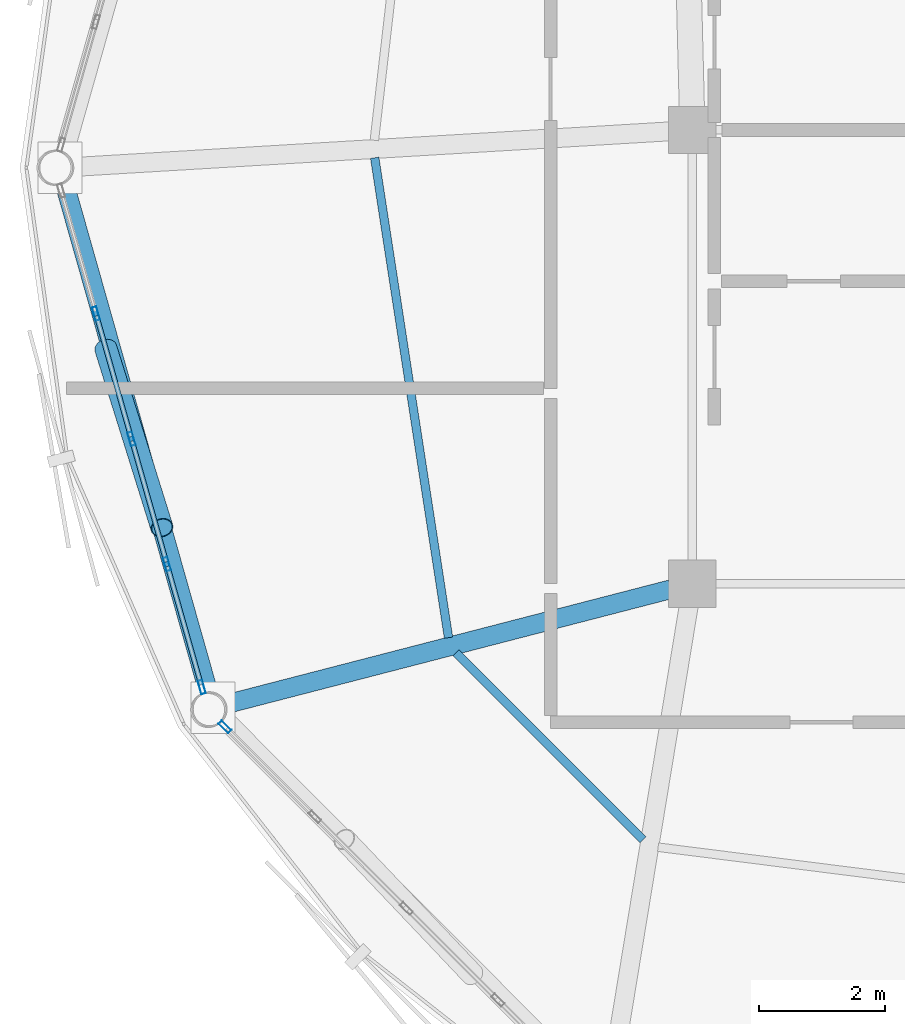
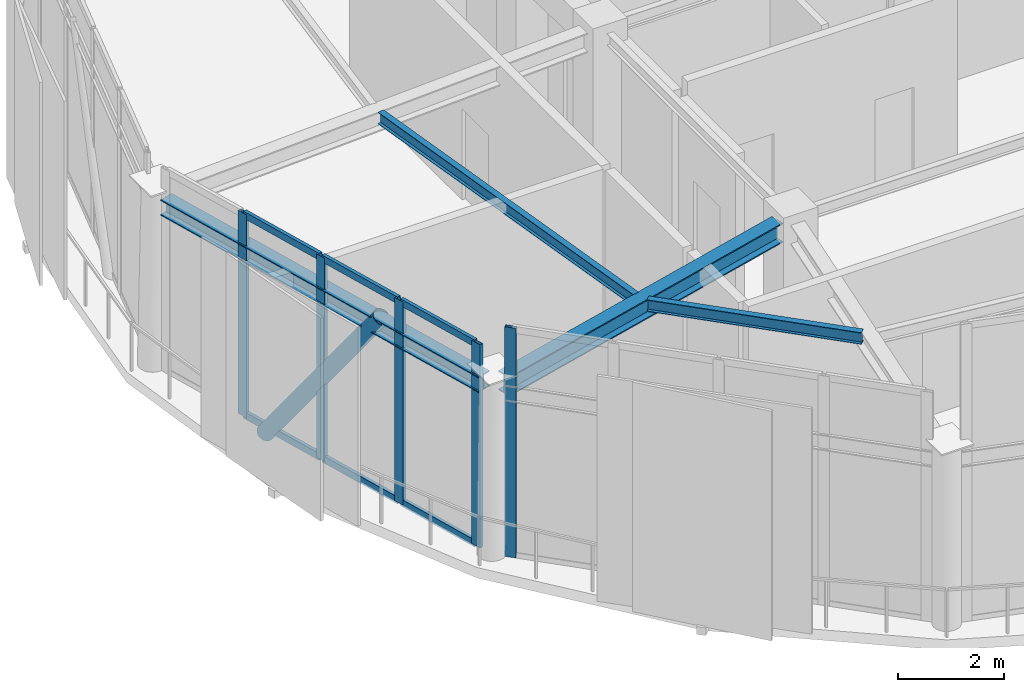
# One storey, part 3 of 20: 12 members, 4 beams, 2 elements without a shape of their own.
"""IFC4 building model written with IfcOpenShell, lengths in metres."""

from ifc_helpers import new_model, si_unit, direction, frame, origin, origin_2d, place, context, subcontext, project, spatial, hollow_rectangle, hollow_circle, i_section, extrude, material, layer, layer_set, material_profile, profile_set, type_object, element, aggregate, save


model = new_model("IFC4")

# Units and contexts
model_context = context("Model", 3, precision=1e-05, world=origin(), true_north=direction((0.0, 1.0)))
body_context = subcontext(model_context, "Body", "Model", "MODEL_VIEW")
ifc_project = project(units=[si_unit("LENGTHUNIT", "METRE"), si_unit("AREAUNIT", "SQUARE_METRE"), si_unit("VOLUMEUNIT", "CUBIC_METRE"), si_unit("PLANEANGLEUNIT", "RADIAN"), si_unit("MASSUNIT", "GRAM", prefix="KILO")], contexts=[model_context])

# Site, building, storey
site_placement = place(None, origin())
site = spatial("IfcSite", under=ifc_project, at=site_placement, CompositionType="ELEMENT")
building_placement = place(site_placement, origin())
building = spatial("IfcBuilding", under=site, at=building_placement, Name="Varnakorn Sky Granary", CompositionType="ELEMENT")
storey_placement = place(building_placement, frame((0.0, 0.0, 310.800048828125)))
storey = spatial("IfcBuildingStorey", under=building, at=storey_placement, Name="L79", CompositionType="ELEMENT", Elevation=310.800048828125)

# Beams
ifc_material_1 = material(Name="Steel S355JR", Category="steel")
ifc_material_profile_1 = material_profile(ifc_material_1, i_section(OverallWidth=0.300048828125, OverallDepth=0.449951171875, WebThickness=0.013916015625, FlangeThickness=0.02587890625, at=origin_2d()), Name="HE 450 B")
ifc_profile_set_1 = profile_set([ifc_material_profile_1], Name="Steel S355JR")
beam_type_1 = type_object("IfcBeamType", Name="BM-RAD-Z5", PredefinedType="BEAM", material=ifc_profile_set_1)
beam_1_placement = place(storey_placement, frame((-2.693603515625, -6.68896484375, 3.73486328125), z_axis=(-0.968155366192, -0.250350128647, 0.0), x_axis=(0.250350128647, -0.968155366192, 0.0)))
element("IfcBeam", 1, at=beam_1_placement, inside=storey, type_object=beam_type_1, Name="Radial Floor Girder RG08 L79", PredefinedType="BEAM", context=body_context, shape_type="SweptSolid", body=[
    extrude(i_section(OverallWidth=0.300048828125, OverallDepth=0.449951171875, WebThickness=0.013916015625, FlangeThickness=0.02587890625, at=origin_2d()), origin(), (0.0, 0.0, 1.0), 7.24072265625),
])
ifc_material_profile_2 = material_profile(ifc_material_1, i_section(OverallWidth=0.135009765625, OverallDepth=0.27001953125, WebThickness=0.006591796875, FlangeThickness=0.01025390625, at=origin_2d()), Name="IPE 270")
ifc_profile_set_2 = profile_set([ifc_material_profile_2], Name="Steel S355JR")
beam_type_2 = type_object("IfcBeamType", Name="BM-SEC-Z5", PredefinedType="BEAM", material=ifc_profile_set_2)
beam_2_placement = place(storey_placement, frame((-7.391845703125, 0.158935546875, 3.824951171875), z_axis=(0.15208099265, -0.988368034527, 0.0), x_axis=(0.988368034527, 0.15208099265, 0.0)))
element("IfcBeam", 2, at=beam_2_placement, inside=storey, type_object=beam_type_2, Name="Secondary Floor Chord Beam MSB07 L79", PredefinedType="BEAM", context=body_context, shape_type="SweptSolid", body=[
    extrude(i_section(OverallWidth=0.135009765625, OverallDepth=0.27001953125, WebThickness=0.006591796875, FlangeThickness=0.01025390625, at=origin_2d()), origin(), (0.0, 0.0, 1.0), 7.70556640625),
])
beam_3_placement = place(storey_placement, frame((-6.099853515625, -7.6943359375, 3.824951171875), z_axis=(0.706728843631, -0.707484516848, 0.0), x_axis=(0.707484516848, 0.706728843631, 0.0)))
element("IfcBeam", 3, at=beam_3_placement, inside=storey, type_object=beam_type_2, Name="Secondary Floor Chord Beam MSB08 L79", PredefinedType="BEAM", context=body_context, shape_type="SweptSolid", body=[
    extrude(i_section(OverallWidth=0.135009765625, OverallDepth=0.27001953125, WebThickness=0.006591796875, FlangeThickness=0.01025390625, at=origin_2d()), origin(), (0.0, 0.0, 1.0), 4.199951171875),
])
ifc_material_profile_3 = material_profile(ifc_material_1, i_section(OverallWidth=0.300048828125, OverallDepth=0.360107421875, WebThickness=0.012451171875, FlangeThickness=0.0224609375, at=origin_2d()), Name="HE 360 B")
ifc_profile_set_3 = profile_set([ifc_material_profile_3], Name="Steel S355JR")
beam_type_3 = type_object("IfcBeamType", Name="BM-SPD-Z5", PredefinedType="SPANDREL", material=ifc_profile_set_3)
beam_4_placement = place(storey_placement, frame((-12.31396484375, -0.25439453125, 3.780029296875), z_axis=(0.272445174788, -0.962171308414, 0.0), x_axis=(0.962171308414, 0.272445174788, 0.0)))
element("IfcBeam", 4, at=beam_4_placement, inside=storey, type_object=beam_type_3, Name="Perimeter Spandrel Ring Beam RB07 L79", PredefinedType="SPANDREL", context=body_context, shape_type="SweptSolid", body=[
    extrude(i_section(OverallWidth=0.300048828125, OverallDepth=0.360107421875, WebThickness=0.012451171875, FlangeThickness=0.0224609375, at=origin_2d()), origin(), (0.0, 0.0, 1.0), 8.3759765625),
])

# Curtain wall, members
ifc_material_2 = material(Name="Anodised Bronze Aluminium Alloy 6063-T6", Category="aluminium")
ifc_layer = layer(ifc_material_2, 0.22998046875, Name="Anodised Bronze Aluminium Alloy 6063-T6")
ifc_layer_set = layer_set([ifc_layer], Name="Anodised Bronze Aluminium Alloy 6063-T6")
curtain_wall_type = type_object("IfcCurtainWallType", Name="CW-LNT-1", PredefinedType="USERDEFINED", material=ifc_layer_set)
curtain_wall_1_placement = place(storey_placement, origin())
curtain_wall_1 = element("IfcCurtainWall", 5, at=curtain_wall_1_placement, inside=storey, type_object=curtain_wall_type, Name="Unitised Curtain Wall CW7 CW-L79-B07", ObjectType="CURTAIN WALL", PredefinedType="USERDEFINED")
ifc_material_profile_4 = material_profile(ifc_material_2, hollow_rectangle(XDim=0.074951171875, YDim=0.219970703125, WallThickness=0.00390625, at=origin_2d()), Name="ALU MULL 75x220")
ifc_profile_set_4 = profile_set([ifc_material_profile_4], Name="Anodised Bronze Aluminium Alloy 6063-T6")
member_type_1 = type_object("IfcMemberType", Name="CW-LNT-1-MULL", PredefinedType="MULLION", material=ifc_profile_set_4)
member_1_placement = place(storey_placement, frame((-10.13623046875, -8.2412109375, 0.0), z_axis=(0.0, 0.0, 1.0), x_axis=(-0.962133920047, -0.272577181537, 0.0)))
member_1 = element("IfcMember", 6, at=member_1_placement, type_object=member_type_1, Name="CW7 mullion 1", PredefinedType="MULLION", context=body_context, shape_type="SweptSolid", body=[
    extrude(hollow_rectangle(XDim=0.074951171875, YDim=0.219970703125, WallThickness=0.00390625, at=origin_2d()), origin(), (0.0, 0.0, 1.0), 4.688232421875),
])
member_2_placement = place(storey_placement, frame((-10.689208984375, -6.289794921875, 0.0), z_axis=(0.0, 0.0, 1.0), x_axis=(-0.962133920047, -0.272577181537, 0.0)))
member_2 = element("IfcMember", 7, at=member_2_placement, type_object=member_type_1, Name="CW7 mullion 2", PredefinedType="MULLION", context=body_context, shape_type="SweptSolid", body=[
    extrude(hollow_rectangle(XDim=0.074951171875, YDim=0.219970703125, WallThickness=0.00390625, at=origin_2d()), origin(), (0.0, 0.0, 1.0), 4.688232421875),
])
member_3_placement = place(storey_placement, frame((-11.252197265625, -4.302001953125, 0.0), z_axis=(0.0, 0.0, 1.0), x_axis=(-0.962133920047, -0.272577181537, 0.0)))
member_3 = element("IfcMember", 8, at=member_3_placement, type_object=member_type_1, Name="CW7 mullion 3", PredefinedType="MULLION", context=body_context, shape_type="SweptSolid", body=[
    extrude(hollow_rectangle(XDim=0.074951171875, YDim=0.219970703125, WallThickness=0.00390625, at=origin_2d()), origin(), (0.0, 0.0, 1.0), 4.688232421875),
])
member_4_placement = place(storey_placement, frame((-11.8154296875, -2.314208984375, 0.0), z_axis=(0.0, 0.0, 1.0), x_axis=(-0.962133920047, -0.272577181537, 0.0)))
member_4 = element("IfcMember", 9, at=member_4_placement, type_object=member_type_1, Name="CW7 mullion 4", PredefinedType="MULLION", context=body_context, shape_type="SweptSolid", body=[
    extrude(hollow_rectangle(XDim=0.074951171875, YDim=0.219970703125, WallThickness=0.00390625, at=origin_2d()), origin(), (0.0, 0.0, 1.0), 4.688232421875),
])

# Curtain wall, member
curtain_wall_2_placement = place(storey_placement, origin())
curtain_wall_2 = element("IfcCurtainWall", 10, at=curtain_wall_2_placement, inside=storey, type_object=curtain_wall_type, Name="Unitised Curtain Wall CW7 CW-L79-B08", ObjectType="CURTAIN WALL", PredefinedType="USERDEFINED")
member_5_placement = place(storey_placement, frame((-9.76708984375, -8.870849609375, 0.0), z_axis=(0.0, 0.0, 1.0), x_axis=(-0.707562678959, -0.706650589291, 0.0)))
member_5 = element("IfcMember", 11, at=member_5_placement, type_object=member_type_1, Name="CW7 mullion 5", PredefinedType="MULLION", context=body_context, shape_type="SweptSolid", body=[
    extrude(hollow_rectangle(XDim=0.074951171875, YDim=0.219970703125, WallThickness=0.00390625, at=origin_2d()), origin(), (0.0, 0.0, 1.0), 5.2958984375),
])
aggregate(curtain_wall_2, [member_5])

# Member
ifc_material_profile_5 = material_profile(ifc_material_2, hollow_rectangle(XDim=0.074951171875, YDim=0.159912109375, WallThickness=0.00390625, at=origin_2d()), Name="ALU TRAN 75x160")
ifc_profile_set_5 = profile_set([ifc_material_profile_5], Name="Anodised Bronze Aluminium Alloy 6063-T6")
member_type_2 = type_object("IfcMemberType", Name="CW-LNT-1-TRAN", PredefinedType="USERDEFINED", material=ifc_profile_set_5)
member_6_placement = place(storey_placement, frame((-10.146484375, -8.205322265625, 0.037353515625), z_axis=(-0.272558227155, 0.962139289713, 0.0), x_axis=(-0.962139289713, -0.272558227155, 0.0)))
member_6 = element("IfcMember", 12, at=member_6_placement, type_object=member_type_2, Name="CW7 transom 1.1", ObjectType="TRANSOM", PredefinedType="USERDEFINED", context=body_context, shape_type="SweptSolid", body=[
    extrude(hollow_rectangle(XDim=0.074951171875, YDim=0.159912109375, WallThickness=0.00390625, at=origin_2d()), origin(), (0.0, 0.0, 1.0), 1.95361328125),
])

member_7_placement = place(storey_placement, frame((-10.146484375, -8.205322265625, 4.650634765625), z_axis=(-0.272558227155, 0.962139289713, 0.0), x_axis=(-0.962139289713, -0.272558227155, 0.0)))
member_7 = element("IfcMember", 13, at=member_7_placement, type_object=member_type_2, Name="CW7 transom 1.2", ObjectType="TRANSOM", PredefinedType="USERDEFINED", context=body_context, shape_type="SweptSolid", body=[
    extrude(hollow_rectangle(XDim=0.074951171875, YDim=0.159912109375, WallThickness=0.00390625, at=origin_2d()), origin(), (0.0, 0.0, 1.0), 1.95361328125),
])

member_8_placement = place(storey_placement, frame((-10.699462890625, -6.253662109375, 0.037353515625), z_axis=(-0.272485268821, 0.962159954621, 0.0), x_axis=(-0.962159954621, -0.272485268821, 0.0)))
member_8 = element("IfcMember", 14, at=member_8_placement, type_object=member_type_2, Name="CW7 transom 2.1", ObjectType="TRANSOM", PredefinedType="USERDEFINED", context=body_context, shape_type="SweptSolid", body=[
    extrude(hollow_rectangle(XDim=0.074951171875, YDim=0.159912109375, WallThickness=0.00390625, at=origin_2d()), origin(), (0.0, 0.0, 1.0), 1.990966796875),
])

member_9_placement = place(storey_placement, frame((-10.699462890625, -6.253662109375, 4.650634765625), z_axis=(-0.272485268821, 0.962159954621, 0.0), x_axis=(-0.962159954621, -0.272485268821, 0.0)))
member_9 = element("IfcMember", 15, at=member_9_placement, type_object=member_type_2, Name="CW7 transom 2.2", ObjectType="TRANSOM", PredefinedType="USERDEFINED", context=body_context, shape_type="SweptSolid", body=[
    extrude(hollow_rectangle(XDim=0.074951171875, YDim=0.159912109375, WallThickness=0.00390625, at=origin_2d()), origin(), (0.0, 0.0, 1.0), 1.990966796875),
])

member_10_placement = place(storey_placement, frame((-11.262451171875, -4.265869140625, 0.037353515625), z_axis=(-0.272598788657, 0.962127798384, 0.0), x_axis=(-0.962127798384, -0.272598788657, 0.0)))
member_10 = element("IfcMember", 16, at=member_10_placement, type_object=member_type_2, Name="CW7 transom 3.1", ObjectType="TRANSOM", PredefinedType="USERDEFINED", context=body_context, shape_type="SweptSolid", body=[
    extrude(hollow_rectangle(XDim=0.074951171875, YDim=0.159912109375, WallThickness=0.00390625, at=origin_2d()), origin(), (0.0, 0.0, 1.0), 1.990966796875),
])

member_11_placement = place(storey_placement, frame((-11.262451171875, -4.265869140625, 4.650634765625), z_axis=(-0.272598788657, 0.962127798384, 0.0), x_axis=(-0.962127798384, -0.272598788657, 0.0)))
member_11 = element("IfcMember", 17, at=member_11_placement, type_object=member_type_2, Name="CW7 transom 3.2", ObjectType="TRANSOM", PredefinedType="USERDEFINED", context=body_context, shape_type="SweptSolid", body=[
    extrude(hollow_rectangle(XDim=0.074951171875, YDim=0.159912109375, WallThickness=0.00390625, at=origin_2d()), origin(), (0.0, 0.0, 1.0), 1.990966796875),
])

aggregate(curtain_wall_1, [member_1, member_2, member_3, member_4, member_6, member_7, member_8, member_9, member_10, member_11])

ifc_material_3 = material(Name="Steel S460M", Category="steel")
ifc_material_profile_6 = material_profile(ifc_material_3, hollow_circle(Radius=0.177734375, WallThickness=0.01416015625, at=origin_2d()), Name="CHS 355.6x14")
ifc_profile_set_6 = profile_set([ifc_material_profile_6], Name="Steel S460M")
member_type_3 = type_object("IfcMemberType", Name="MB-DIAG-T5", PredefinedType="BRACE", material=ifc_profile_set_6)
member_12_placement = place(storey_placement, frame((-11.658447265625, -2.867919921875, -0.130126953125), z_axis=(0.175849450935, -0.561994582699, 0.808232058027), x_axis=(0.954370580389, 0.298624840374, 0.0)))
element("IfcMember", 18, at=member_12_placement, inside=storey, type_object=member_type_3, Name="Perimeter CHS Diagrid Brace DG07 L79", PredefinedType="BRACE", context=body_context, shape_type="SweptSolid", body=[
    extrude(hollow_circle(Radius=0.177734375, WallThickness=0.01416015625, at=origin_2d()), origin(), (0.0, 0.0, 1.0), 5.060546875),
])

save(model, "model.ifc")
